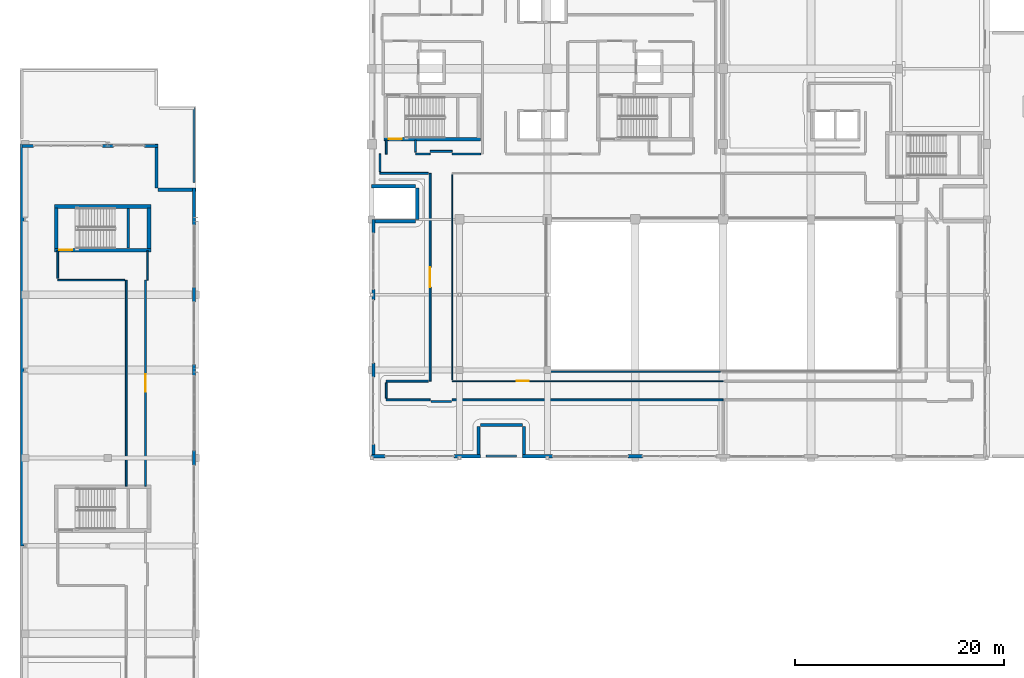
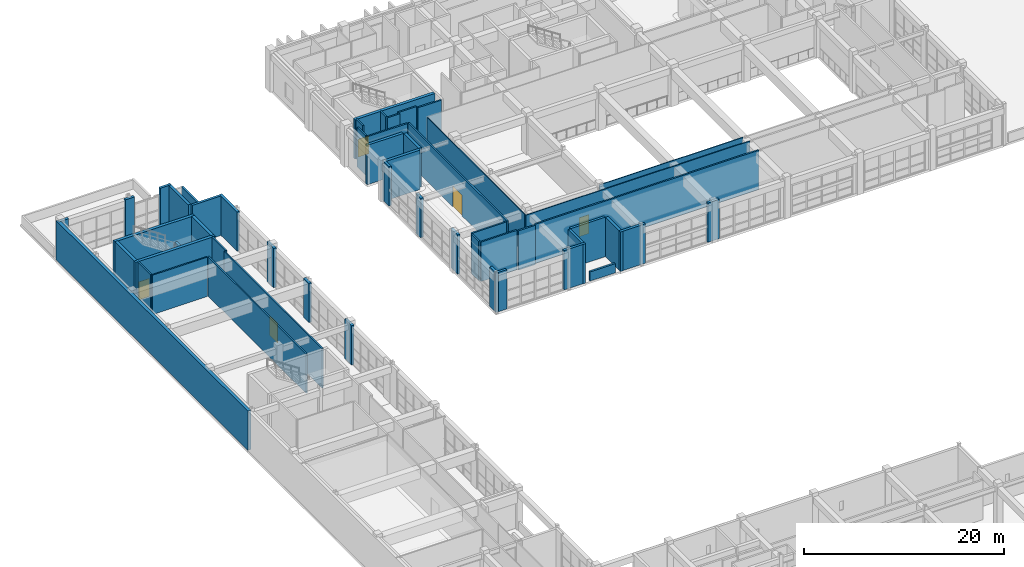
# One storey, part 62 of 78: 53 walls, 5 doors, 5 openings.
"""IFC4 building model written with IfcOpenShell, lengths in metres."""

from ifc_helpers import new_model, si_unit, direction, frame, frame_2d, origin, place, context, subcontext, project, spatial, rectangle, extrude, material, layer, layer_set, type_object, element, fill, save


model = new_model("IFC4")

# Units and contexts
model_context = context("Model", 3, precision=1e-05, world=origin(), true_north=direction((0.0, 1.0)))
body_context = subcontext(model_context, "Body", "Model", "MODEL_VIEW")
ifc_project = project(units=[si_unit("LENGTHUNIT", "METRE"), si_unit("AREAUNIT", "SQUARE_METRE"), si_unit("VOLUMEUNIT", "CUBIC_METRE"), si_unit("PLANEANGLEUNIT", "RADIAN"), si_unit("MASSUNIT", "GRAM", prefix="KILO")], contexts=[model_context])

# Site, building, storey
site_placement = place(None, origin())
site = spatial("IfcSite", under=ifc_project, at=site_placement, CompositionType="ELEMENT")
building_placement = place(site_placement, origin())
building = spatial("IfcBuilding", under=site, at=building_placement, Name="Quendrovan Civic Courthouse", CompositionType="ELEMENT")
storey_placement = place(building_placement, frame((0.0, 0.0, 10.199951171875)))
storey = spatial("IfcBuildingStorey", under=building, at=storey_placement, Name="L03", CompositionType="ELEMENT", Elevation=10.199951171875)

# Wall, opening, door
ifc_material_1 = material(Name="Fire-rated gypsum stud partition")
ifc_layer_1 = layer(ifc_material_1, 0.159912109375, Name="Fire-rated gypsum stud partition")
ifc_layer_set_1 = layer_set([ifc_layer_1], Name="Fire-rated gypsum stud partition")
wall_type_1 = type_object("IfcWallType", Name="WL-COR-160", PredefinedType="PARTITIONING", material=ifc_layer_set_1)
wall_1_placement = place(storey_placement, frame((12.0, 62.1201171875, 0.0), z_axis=(0.0, 0.0, 1.0), x_axis=(0.0, 1.0, 0.0)))
wall_1 = element("IfcWall", 1, at=wall_1_placement, inside=storey, type_object=wall_type_1, Name="L03 Appellate Filing Case Registry Partition 0425", PredefinedType="PARTITIONING", context=body_context, shape_type="SweptSolid", body=[
    extrude(rectangle(XDim=19.679931640625, YDim=0.159912109375, at=frame_2d((9.83984375, 0.0))), origin(), (0.0, 0.0, 1.0), 4.820068359375),
])
opening_1_placement = place(wall_1_placement, frame((9.02001953125, 0.0, 0.0)))
opening_1 = element("IfcOpeningElement", 2, at=opening_1_placement, cuts=wall_1, Name="Opening D-L03-067", PredefinedType="OPENING", context=body_context, shape_type="SweptSolid", body=[
    extrude(rectangle(XDim=1.639892578125, YDim=2.419921875, at=frame_2d((0.81982421875, 1.2099609375))), frame((0.0, 0.08984375, 0.0), z_axis=(0.0, -1.0, 0.0), x_axis=(1.0, 0.0, 0.0)), (0.0, 0.0, 1.0), 0.179931640625),
])
ifc_material_2 = material(Name="Bronze-anodised aluminium glazed door", Category="aluminium")
door_type_1 = type_object("IfcDoorType", Name="DR-REG-1640", OperationType="NOTDEFINED", PredefinedType="DOOR", material=ifc_material_2)
door_1_placement = place(opening_1_placement, origin())
door_1 = element("IfcDoor", 3, at=door_1_placement, inside=storey, type_object=door_type_1, Name="L03 Appellate Filing Case Registry Door D-L03-067", OperationType="SINGLE_SWING_RIGHT", OverallHeight=2.419921875, OverallWidth=1.639892578125, PredefinedType="DOOR", context=body_context, shape_type="SweptSolid", body=[
    extrude(rectangle(XDim=1.639892578125, YDim=2.419921875, at=frame_2d((0.81982421875, 1.2099609375))), frame((0.0, 0.02490234375, 0.0), z_axis=(0.0, -1.0, 0.0), x_axis=(1.0, 0.0, 0.0)), (0.0, 0.0, 1.0), 0.050048828125),
])
fill(opening_1, door_1)

# Walls
wall_2_placement = place(storey_placement, frame((10.14990234375, 81.800048828125, 0.0), z_axis=(0.0, 0.0, 1.0), x_axis=(0.0, -1.0, 0.0)))
element("IfcWall", 4, at=wall_2_placement, inside=storey, type_object=wall_type_1, Name="L03 Appellate Filing Case Registry Partition 0426", PredefinedType="PARTITIONING", context=body_context, shape_type="SweptSolid", body=[
    extrude(rectangle(XDim=19.679931640625, YDim=0.159912109375, at=frame_2d((9.83984375, 0.0))), origin(), (0.0, 0.0, 1.0), 4.820068359375),
])
wall_3_placement = place(storey_placement, frame((3.60009765625, 81.800048828125, 0.0), z_axis=(0.0, 0.0, 1.0), x_axis=(1.0, 0.0, 0.0)))
element("IfcWall", 5, at=wall_3_placement, inside=storey, type_object=wall_type_1, Name="L03 Appellate Filing Case Registry Partition 0469", PredefinedType="PARTITIONING", context=body_context, shape_type="SweptSolid", body=[
    extrude(rectangle(XDim=6.389892578125, YDim=0.159912109375, at=frame_2d((3.19482421875, 0.0))), origin(), (0.0, 0.0, 1.0), 4.820068359375),
])
wall_4_placement = place(storey_placement, frame((12.199951171875, 81.800048828125, 0.0), z_axis=(0.0, 0.0, 1.0), x_axis=(0.0, 1.0, 0.0)))
element("IfcWall", 6, at=wall_4_placement, inside=storey, type_object=wall_type_1, Name="L03 Appellate Filing Case Registry Partition 0508", PredefinedType="PARTITIONING", context=body_context, shape_type="SweptSolid", body=[
    extrude(rectangle(XDim=2.780029296875, YDim=0.159912109375, at=frame_2d((1.39013671875, 0.0))), origin(), (0.0, 0.0, 1.0), 4.820068359375),
])
wall_5_placement = place(storey_placement, frame((3.60009765625, 84.580078125, 0.0), z_axis=(0.0, 0.0, 1.0), x_axis=(0.0, -1.0, 0.0)))
element("IfcWall", 7, at=wall_5_placement, inside=storey, type_object=wall_type_1, Name="L03 Appellate Filing Case Registry Partition 0509", PredefinedType="PARTITIONING", context=body_context, shape_type="SweptSolid", body=[
    extrude(rectangle(XDim=2.6201171875, YDim=0.159912109375, at=frame_2d((1.31005859375, 0.0))), origin(), (0.0, 0.0, 1.0), 4.820068359375),
])

# Wall, opening, door
ifc_material_3 = material(Name="Concrete C45/55", Category="concrete")
ifc_layer_2 = layer(ifc_material_3, 0.35009765625, Name="Concrete C45/55")
ifc_layer_set_2 = layer_set([ifc_layer_2], Name="Concrete C45/55")
wall_type_2 = type_object("IfcWallType", Name="WL-CORE-350", PredefinedType="SHEAR", material=ifc_layer_set_2)
wall_6_placement = place(storey_placement, frame((34.7900390625, 95.264892578125, 0.0), z_axis=(0.0, 0.0, 1.0), x_axis=(1.0, 0.0, 0.0)))
wall_6 = element("IfcWall", 8, at=wall_6_placement, inside=storey, type_object=wall_type_2, Name="L03 Core Shear Wall ST1-S", PredefinedType="SHEAR", context=body_context, shape_type="SweptSolid", body=[
    extrude(rectangle(XDim=9.219970703125, YDim=0.35009765625, at=frame_2d((4.60986328125, 0.0))), origin(), (0.0, 0.0, 1.0), 4.820068359375),
])
opening_2_placement = place(wall_6_placement, frame((0.449951171875, 0.0, 0.0)))
opening_2 = element("IfcOpeningElement", 9, at=opening_2_placement, cuts=wall_6, Name="Opening DS-ST1-L03", PredefinedType="OPENING", context=body_context, shape_type="SweptSolid", body=[
    extrude(rectangle(XDim=1.25, YDim=2.199951171875, at=frame_2d((0.625, 1.10009765625))), frame((0.0, 0.18505859375, 0.0), z_axis=(0.0, -1.0, 0.0), x_axis=(1.0, 0.0, 0.0)), (0.0, 0.0, 1.0), 0.3701171875),
])
ifc_material_4 = material(Name="Painted galvanized hollow-metal steel", Category="steel")
door_type_2 = type_object("IfcDoorType", Name="DR-STAIR-1250", OperationType="NOTDEFINED", PredefinedType="DOOR", material=ifc_material_4)
door_2_placement = place(opening_2_placement, origin())
door_2 = element("IfcDoor", 10, at=door_2_placement, inside=storey, type_object=door_type_2, Name="L03 Exit Stair ST1 Fire Door", OperationType="SINGLE_SWING_LEFT", OverallHeight=2.199951171875, OverallWidth=1.25, PredefinedType="DOOR", context=body_context, shape_type="SweptSolid", body=[
    extrude(rectangle(XDim=1.25, YDim=2.199951171875, at=frame_2d((0.625, 1.10009765625))), frame((0.0, 0.02490234375, 0.0), z_axis=(0.0, -1.0, 0.0), x_axis=(1.0, 0.0, 0.0)), (0.0, 0.0, 1.0), 0.050048828125),
])
fill(opening_2, door_2)

wall_7_placement = place(storey_placement, frame((3.2900390625, 84.6650390625, 0.0), z_axis=(0.0, 0.0, 1.0), x_axis=(1.0, 0.0, 0.0)))
wall_7 = element("IfcWall", 11, at=wall_7_placement, inside=storey, type_object=wall_type_2, Name="L03 Core Shear Wall ST8-S", PredefinedType="SHEAR", context=body_context, shape_type="SweptSolid", body=[
    extrude(rectangle(XDim=9.219970703125, YDim=0.35009765625, at=frame_2d((4.60986328125, 0.0))), origin(), (0.0, 0.0, 1.0), 4.820068359375),
])
opening_3_placement = place(wall_7_placement, frame((0.449951171875, 0.0, 0.0)))
opening_3 = element("IfcOpeningElement", 12, at=opening_3_placement, cuts=wall_7, Name="Opening DS-ST8-L03", PredefinedType="OPENING", context=body_context, shape_type="SweptSolid", body=[
    extrude(rectangle(XDim=1.25, YDim=2.199951171875, at=frame_2d((0.625, 1.10009765625))), frame((0.0, 0.18505859375, 0.0), z_axis=(0.0, -1.0, 0.0), x_axis=(1.0, 0.0, 0.0)), (0.0, 0.0, 1.0), 0.3701171875),
])
door_3_placement = place(opening_3_placement, origin())
door_3 = element("IfcDoor", 13, at=door_3_placement, inside=storey, type_object=door_type_2, Name="L03 Exit Stair ST8 Fire Door", OperationType="SINGLE_SWING_RIGHT", OverallHeight=2.199951171875, OverallWidth=1.25, PredefinedType="DOOR", context=body_context, shape_type="SweptSolid", body=[
    extrude(rectangle(XDim=1.25, YDim=2.199951171875, at=frame_2d((0.625, 1.10009765625))), frame((0.0, 0.02490234375, 0.0), z_axis=(0.0, -1.0, 0.0), x_axis=(1.0, 0.0, 0.0)), (0.0, 0.0, 1.0), 0.050048828125),
])
fill(opening_3, door_3)

# Walls
wall_8_placement = place(storey_placement, frame((12.510009765625, 88.8349609375, 0.0), z_axis=(0.0, 0.0, 1.0), x_axis=(-1.0, 0.0, 0.0)))
element("IfcWall", 14, at=wall_8_placement, inside=storey, type_object=wall_type_2, Name="L03 Core Shear Wall ST8-N", PredefinedType="SHEAR", context=body_context, shape_type="SweptSolid", body=[
    extrude(rectangle(XDim=9.219970703125, YDim=0.35009765625, at=frame_2d((4.60986328125, 0.0))), origin(), (0.0, 0.0, 1.0), 4.820068359375),
])
for number, where, z_axis, x_axis, name in (
    (15, (3.465087890625, 84.800048828125, 0.0), (0.0, 0.0, 1.0), (0.0, 1.0, 0.0), "L03 Core Shear Wall ST8-W"),
    (16, (12.3349609375, 88.699951171875, 0.0), (0.0, 0.0, 1.0), (0.0, -1.0, 0.0), "L03 Core Shear Wall ST8-E"),
):
    element("IfcWall", number, at=place(storey_placement, frame(where, z_axis=z_axis, x_axis=x_axis)), inside=storey, type_object=wall_type_2, Name=name, PredefinedType="SHEAR", context=body_context, shape_type="SweptSolid", body=[
        extrude(rectangle(XDim=3.89990234375, YDim=0.35009765625, at=frame_2d((1.949951171875, 0.0))), origin(), (0.0, 0.0, 1.0), 4.820068359375),
    ])
ifc_material_5 = material(Name="Acoustic gypsum and mineral wool partition")
ifc_layer_3 = layer(ifc_material_5, 0.179931640625, Name="Acoustic gypsum and mineral wool partition")
ifc_layer_set_3 = layer_set([ifc_layer_3], Name="Acoustic gypsum and mineral wool partition")
wall_type_3 = type_object("IfcWallType", Name="WL-CRT-AC180", PredefinedType="PARTITIONING", material=ifc_layer_set_3)
wall_9_placement = place(storey_placement, frame((41.300048828125, 70.35009765625, 0.0), z_axis=(0.0, 0.0, 1.0), x_axis=(1.0, 0.0, 0.0)))
element("IfcWall", 17, at=wall_9_placement, inside=storey, type_object=wall_type_3, Name="L03 Criminal Courtroom Partition 0420", PredefinedType="PARTITIONING", context=body_context, shape_type="SweptSolid", body=[
    extrude(rectangle(XDim=25.89990234375, YDim=0.179931640625, at=frame_2d((12.949951171875, 0.0))), origin(), (0.0, 0.0, 1.0), 4.820068359375),
])

# Wall, opening, door
wall_10_placement = place(storey_placement, frame((39.199951171875, 92.0, 0.0), z_axis=(0.0, 0.0, 1.0), x_axis=(0.0, -1.0, 0.0)))
wall_10 = element("IfcWall", 18, at=wall_10_placement, inside=storey, type_object=wall_type_3, Name="L03 Criminal Courtroom Partition 0423", PredefinedType="PARTITIONING", context=body_context, shape_type="SweptSolid", body=[
    extrude(rectangle(XDim=19.85009765625, YDim=0.179931640625, at=frame_2d((9.925048828125, 0.0))), origin(), (0.0, 0.0, 1.0), 4.820068359375),
])
opening_4_placement = place(wall_10_placement, frame((8.965087890625, 0.0, 0.0)))
opening_4 = element("IfcOpeningElement", 19, at=opening_4_placement, cuts=wall_10, Name="Opening D-L03-068", PredefinedType="OPENING", context=body_context, shape_type="SweptSolid", body=[
    extrude(rectangle(XDim=1.919921875, YDim=2.550048828125, at=frame_2d((0.9599609375, 1.27490234375))), frame((0.0, 0.10009765625, 0.0), z_axis=(0.0, -1.0, 0.0), x_axis=(1.0, 0.0, 0.0)), (0.0, 0.0, 1.0), 0.199951171875),
])
ifc_material_6 = material(Name="Acoustic solid Western Red Cedar timber door", Category="wood")
door_type_3 = type_object("IfcDoorType", Name="DR-CRT-DBL1920", OperationType="NOTDEFINED", PredefinedType="DOOR", material=ifc_material_6)
door_4_placement = place(opening_4_placement, origin())
door_4 = element("IfcDoor", 20, at=door_4_placement, inside=storey, type_object=door_type_3, Name="L03 Criminal Courtroom Door D-L03-068", OperationType="SINGLE_SWING_LEFT", OverallHeight=2.550048828125, OverallWidth=1.919921875, PredefinedType="DOOR", context=body_context, shape_type="SweptSolid", body=[
    extrude(rectangle(XDim=1.919921875, YDim=2.550048828125, at=frame_2d((0.9599609375, 1.27490234375))), frame((0.0, 0.02490234375, 0.0), z_axis=(0.0, -1.0, 0.0), x_axis=(1.0, 0.0, 0.0)), (0.0, 0.0, 1.0), 0.050048828125),
])
fill(opening_4, door_4)

# Walls
wall_11_placement = place(storey_placement, frame((34.39990234375, 92.0, 0.0), z_axis=(0.0, 0.0, 1.0), x_axis=(1.0, 0.0, 0.0)))
element("IfcWall", 21, at=wall_11_placement, inside=storey, type_object=wall_type_3, Name="L03 Criminal Courtroom Partition 0480", PredefinedType="PARTITIONING", context=body_context, shape_type="SweptSolid", body=[
    extrude(rectangle(XDim=4.630126953125, YDim=0.179931640625, at=frame_2d((2.31494140625, 0.0))), origin(), (0.0, 0.0, 1.0), 4.820068359375),
])
wall_12_placement = place(storey_placement, frame((39.030029296875, 72.14990234375, 0.0), z_axis=(0.0, 0.0, 1.0), x_axis=(-1.0, 0.0, 0.0)))
element("IfcWall", 22, at=wall_12_placement, inside=storey, type_object=wall_type_3, Name="L03 Criminal Courtroom Partition 0489", PredefinedType="PARTITIONING", context=body_context, shape_type="SweptSolid", body=[
    extrude(rectangle(XDim=4.030029296875, YDim=0.179931640625, at=frame_2d((2.01513671875, 0.0))), origin(), (0.0, 0.0, 1.0), 4.820068359375),
])
wall_13_placement = place(storey_placement, frame((35.0, 70.35009765625, 0.0), z_axis=(0.0, 0.0, 1.0), x_axis=(1.0, 0.0, 0.0)))
element("IfcWall", 23, at=wall_13_placement, inside=storey, type_object=wall_type_3, Name="L03 Criminal Courtroom Partition 0490", PredefinedType="PARTITIONING", context=body_context, shape_type="SweptSolid", body=[
    extrude(rectangle(XDim=4.199951171875, YDim=0.179931640625, at=frame_2d((2.10009765625, 0.0))), origin(), (0.0, 0.0, 1.0), 4.820068359375),
])
wall_14_placement = place(storey_placement, frame((44.030029296875, 93.85009765625, 0.0), z_axis=(0.0, 0.0, 1.0), x_axis=(-1.0, 0.0, 0.0)))
element("IfcWall", 24, at=wall_14_placement, inside=storey, type_object=wall_type_3, Name="L03 Criminal Courtroom Partition 0503", PredefinedType="PARTITIONING", context=body_context, shape_type="SweptSolid", body=[
    extrude(rectangle(XDim=2.72998046875, YDim=0.179931640625, at=frame_2d((1.364990234375, 0.0))), origin(), (0.0, 0.0, 1.0), 4.820068359375),
])
wall_15_placement = place(storey_placement, frame((41.300048828125, 94.10009765625, 0.0), z_axis=(0.0, 0.0, 1.0), x_axis=(-1.0, 0.0, 0.0)))
element("IfcWall", 25, at=wall_15_placement, inside=storey, type_object=wall_type_3, Name="L03 Criminal Courtroom Partition 0522", PredefinedType="PARTITIONING", context=body_context, shape_type="SweptSolid", body=[
    extrude(rectangle(XDim=2.10009765625, YDim=0.179931640625, at=frame_2d((1.050048828125, 0.0))), origin(), (0.0, 0.0, 1.0), 4.820068359375),
])
wall_16_placement = place(storey_placement, frame((39.280029296875, 70.199951171875, 0.0), z_axis=(0.0, 0.0, 1.0), x_axis=(1.0, 0.0, 0.0)))
element("IfcWall", 26, at=wall_16_placement, inside=storey, type_object=wall_type_3, Name="L03 Criminal Courtroom Partition 0523", PredefinedType="PARTITIONING", context=body_context, shape_type="SweptSolid", body=[
    extrude(rectangle(XDim=1.93994140625, YDim=0.179931640625, at=frame_2d((0.969970703125, 0.0))), origin(), (0.0, 0.0, 1.0), 4.820068359375),
])
wall_17_placement = place(storey_placement, frame((34.39990234375, 93.85009765625, 0.0), z_axis=(0.0, 0.0, 1.0), x_axis=(0.0, -1.0, 0.0)))
element("IfcWall", 27, at=wall_17_placement, inside=storey, type_object=wall_type_3, Name="L03 Criminal Courtroom Partition 0528", PredefinedType="PARTITIONING", context=body_context, shape_type="SweptSolid", body=[
    extrude(rectangle(XDim=1.68017578125, YDim=0.179931640625, at=frame_2d((0.840087890625, 0.0))), origin(), (0.0, 0.0, 1.0), 4.820068359375),
])
wall_18_placement = place(storey_placement, frame((35.0, 71.97998046875, 0.0), z_axis=(0.0, 0.0, 1.0), x_axis=(0.0, -1.0, 0.0)))
element("IfcWall", 28, at=wall_18_placement, inside=storey, type_object=wall_type_3, Name="L03 Criminal Courtroom Partition 0530", PredefinedType="PARTITIONING", context=body_context, shape_type="SweptSolid", body=[
    extrude(rectangle(XDim=1.4599609375, YDim=0.179931640625, at=frame_2d((0.72998046875, 0.0))), origin(), (0.0, 0.0, 1.0), 4.820068359375),
])
wall_19_placement = place(storey_placement, frame((39.199951171875, 93.85009765625, 0.0), z_axis=(0.0, 0.0, 1.0), x_axis=(-1.0, 0.0, 0.0)))
element("IfcWall", 29, at=wall_19_placement, inside=storey, type_object=wall_type_3, Name="L03 Criminal Courtroom Partition 0536", PredefinedType="PARTITIONING", context=body_context, shape_type="SweptSolid", body=[
    extrude(rectangle(XDim=1.39990234375, YDim=0.179931640625, at=frame_2d((0.699951171875, 0.0))), origin(), (0.0, 0.0, 1.0), 4.820068359375),
])
wall_20_placement = place(storey_placement, frame((37.800048828125, 94.02001953125, 0.0), z_axis=(0.0, 0.0, 1.0), x_axis=(0.0, 1.0, 0.0)))
element("IfcWall", 30, at=wall_20_placement, inside=storey, type_object=wall_type_3, Name="L03 Criminal Courtroom Partition 0538", PredefinedType="PARTITIONING", context=body_context, shape_type="SweptSolid", body=[
    extrude(rectangle(XDim=1.159912109375, YDim=0.179931640625, at=frame_2d((0.580078125, 0.0))), origin(), (0.0, 0.0, 1.0), 4.820068359375),
])
wall_21_placement = place(storey_placement, frame((35.0, 95.179931640625, 0.0), z_axis=(0.0, 0.0, 1.0), x_axis=(0.0, -1.0, 0.0)))
element("IfcWall", 31, at=wall_21_placement, inside=storey, type_object=wall_type_3, Name="L03 Criminal Courtroom Partition 0539", PredefinedType="PARTITIONING", context=body_context, shape_type="SweptSolid", body=[
    extrude(rectangle(XDim=1.329833984375, YDim=0.179931640625, at=frame_2d((0.6650390625, 0.0))), origin(), (0.0, 0.0, 1.0), 4.820068359375),
])
ifc_material_7 = material(Name="Precast concrete C45/55", Category="concrete")
ifc_layer_4 = layer(ifc_material_7, 0.2900390625, Name="Precast concrete C45/55")
ifc_layer_set_4 = layer_set([ifc_layer_4], Name="Precast concrete C45/55")
wall_type_4 = type_object("IfcWallType", Name="WL-EXT-PC290", PredefinedType="SOLIDWALL", material=ifc_layer_set_4)
wall_22_placement = place(storey_placement, frame((0.175048828125, 94.635009765625, 0.0), z_axis=(0.0, 0.0, 1.0), x_axis=(1.0, 0.0, 0.0)))
element("IfcWall", 32, at=wall_22_placement, inside=storey, type_object=wall_type_4, Name="L03 Exterior Pier Wall 253", PredefinedType="SOLIDWALL", context=body_context, shape_type="SweptSolid", body=[
    extrude(rectangle(XDim=1.125, YDim=0.2900390625, at=frame_2d((0.5625, 0.0))), origin(), (0.0, 0.0, 1.0), 4.820068359375),
])
wall_23_placement = place(storey_placement, frame((7.863037109375, 94.635009765625, 0.0), z_axis=(0.0, 0.0, 1.0), x_axis=(1.0, 0.0, 0.0)))
element("IfcWall", 33, at=wall_23_placement, inside=storey, type_object=wall_type_4, Name="L03 Exterior Pier Wall 254", PredefinedType="SOLIDWALL", context=body_context, shape_type="SweptSolid", body=[
    extrude(rectangle(XDim=1.073974609375, YDim=0.2900390625, at=frame_2d((0.537109375, 0.0))), origin(), (0.0, 0.0, 1.0), 4.820068359375),
])
wall_24_placement = place(storey_placement, frame((11.89990234375, 94.635009765625, 0.0), z_axis=(0.0, 0.0, 1.0), x_axis=(1.0, 0.0, 0.0)))
element("IfcWall", 34, at=wall_24_placement, inside=storey, type_object=wall_type_4, Name="L03 Exterior Pier Wall 255", PredefinedType="SOLIDWALL", context=body_context, shape_type="SweptSolid", body=[
    extrude(rectangle(XDim=1.300048828125, YDim=0.2900390625, at=frame_2d((0.64990234375, 0.0))), origin(), (0.0, 0.0, 1.0), 4.820068359375),
])
wall_25_placement = place(storey_placement, frame((13.034912109375, 94.800048828125, 0.0), z_axis=(0.0, 0.0, 1.0), x_axis=(0.0, -1.0, 0.0)))
element("IfcWall", 35, at=wall_25_placement, inside=storey, type_object=wall_type_4, Name="L03 Exterior Civic Portal Wall 256", PredefinedType="SOLIDWALL", context=body_context, shape_type="SweptSolid", body=[
    extrude(rectangle(XDim=4.199951171875, YDim=0.2900390625, at=frame_2d((2.10009765625, 0.0))), origin(), (0.0, 0.0, 1.0), 4.820068359375),
])
wall_26_placement = place(storey_placement, frame((13.199951171875, 90.43505859375, 0.0), z_axis=(0.0, 0.0, 1.0), x_axis=(1.0, 0.0, 0.0)))
element("IfcWall", 36, at=wall_26_placement, inside=storey, type_object=wall_type_4, Name="L03 Exterior Civic Portal Wall 257", PredefinedType="SOLIDWALL", context=body_context, shape_type="SweptSolid", body=[
    extrude(rectangle(XDim=3.60009765625, YDim=0.2900390625, at=frame_2d((1.800048828125, 0.0))), origin(), (0.0, 0.0, 1.0), 4.820068359375),
])
wall_27_placement = place(storey_placement, frame((16.635009765625, 90.60009765625, 0.0), z_axis=(0.0, 0.0, 1.0), x_axis=(0.0, -1.0, 0.0)))
element("IfcWall", 37, at=wall_27_placement, inside=storey, type_object=wall_type_4, Name="L03 Exterior Pier Wall 258", PredefinedType="SOLIDWALL", context=body_context, shape_type="SweptSolid", body=[
    extrude(rectangle(XDim=3.537109375, YDim=0.2900390625, at=frame_2d((1.7685546875, 0.0))), origin(), (0.0, 0.0, 1.0), 4.820068359375),
])
wall_28_placement = place(storey_placement, frame((16.635009765625, 81.10009765625, 0.0), z_axis=(0.0, 0.0, 1.0), x_axis=(0.0, -1.0, 0.0)))
element("IfcWall", 38, at=wall_28_placement, inside=storey, type_object=wall_type_4, Name="L03 Exterior Pier Wall 259", PredefinedType="SOLIDWALL", context=body_context, shape_type="SweptSolid", body=[
    extrude(rectangle(XDim=1.400146484375, YDim=0.2900390625, at=frame_2d((0.7001953125, 0.0))), origin(), (0.0, 0.0, 1.0), 4.820068359375),
])
wall_29_placement = place(storey_placement, frame((16.635009765625, 73.737060546875, 0.0), z_axis=(0.0, 0.0, 1.0), x_axis=(0.0, -1.0, 0.0)))
element("IfcWall", 39, at=wall_29_placement, inside=storey, type_object=wall_type_4, Name="L03 Exterior Pier Wall 260", PredefinedType="SOLIDWALL", context=body_context, shape_type="SweptSolid", body=[
    extrude(rectangle(XDim=1.073974609375, YDim=0.2900390625, at=frame_2d((0.537109375, 0.0))), origin(), (0.0, 0.0, 1.0), 4.820068359375),
])
wall_30_placement = place(storey_placement, frame((16.635009765625, 65.5, 0.0), z_axis=(0.0, 0.0, 1.0), x_axis=(0.0, -1.0, 0.0)))
element("IfcWall", 40, at=wall_30_placement, inside=storey, type_object=wall_type_4, Name="L03 Exterior Pier Wall 261", PredefinedType="SOLIDWALL", context=body_context, shape_type="SweptSolid", body=[
    extrude(rectangle(XDim=1.39990234375, YDim=0.2900390625, at=frame_2d((0.699951171875, 0.0))), origin(), (0.0, 0.0, 1.0), 4.820068359375),
])
wall_31_placement = place(storey_placement, frame((59.47509765625, 64.965087890625, 0.0), z_axis=(0.0, 0.0, 1.0), x_axis=(-1.0, 0.0, 0.0)))
element("IfcWall", 41, at=wall_31_placement, inside=storey, type_object=wall_type_4, Name="L03 Exterior Pier Wall 301", PredefinedType="SOLIDWALL", context=body_context, shape_type="SweptSolid", body=[
    extrude(rectangle(XDim=1.35009765625, YDim=0.2900390625, at=frame_2d((0.675048828125, 0.0))), origin(), (0.0, 0.0, 1.0), 4.820068359375),
])
wall_32_placement = place(storey_placement, frame((50.89990234375, 64.965087890625, 0.0), z_axis=(0.0, 0.0, 1.0), x_axis=(-1.0, 0.0, 0.0)))
element("IfcWall", 42, at=wall_32_placement, inside=storey, type_object=wall_type_4, Name="L03 Exterior Pier Wall 302", PredefinedType="SOLIDWALL", context=body_context, shape_type="SweptSolid", body=[
    extrude(rectangle(XDim=2.89990234375, YDim=0.2900390625, at=frame_2d((1.449951171875, 0.0))), origin(), (0.0, 0.0, 1.0), 4.820068359375),
])
wall_33_placement = place(storey_placement, frame((48.1650390625, 64.800048828125, 0.0), z_axis=(0.0, 0.0, 1.0), x_axis=(0.0, 1.0, 0.0)))
element("IfcWall", 43, at=wall_33_placement, inside=storey, type_object=wall_type_4, Name="L03 Exterior Civic Portal Wall 303", PredefinedType="SOLIDWALL", context=body_context, shape_type="SweptSolid", body=[
    extrude(rectangle(XDim=3.0, YDim=0.2900390625, at=frame_2d((1.5, 0.0))), origin(), (0.0, 0.0, 1.0), 4.820068359375),
])
wall_34_placement = place(storey_placement, frame((48.0, 67.965087890625, 0.0), z_axis=(0.0, 0.0, 1.0), x_axis=(-1.0, 0.0, 0.0)))
element("IfcWall", 44, at=wall_34_placement, inside=storey, type_object=wall_type_4, Name="L03 Exterior Civic Portal Wall 304", PredefinedType="SOLIDWALL", context=body_context, shape_type="SweptSolid", body=[
    extrude(rectangle(XDim=4.0, YDim=0.2900390625, at=frame_2d((2.0, 0.0))), origin(), (0.0, 0.0, 1.0), 4.820068359375),
])
wall_35_placement = place(storey_placement, frame((43.8349609375, 67.800048828125, 0.0), z_axis=(0.0, 0.0, 1.0), x_axis=(0.0, -1.0, 0.0)))
element("IfcWall", 45, at=wall_35_placement, inside=storey, type_object=wall_type_4, Name="L03 Exterior Civic Portal Wall 305", PredefinedType="SOLIDWALL", context=body_context, shape_type="SweptSolid", body=[
    extrude(rectangle(XDim=3.0, YDim=0.2900390625, at=frame_2d((1.5, 0.0))), origin(), (0.0, 0.0, 1.0), 4.820068359375),
])
wall_36_placement = place(storey_placement, frame((44.0, 64.965087890625, 0.0), z_axis=(0.0, 0.0, 1.0), x_axis=(-1.0, 0.0, 0.0)))
element("IfcWall", 46, at=wall_36_placement, inside=storey, type_object=wall_type_4, Name="L03 Exterior Pier Wall 306", PredefinedType="SOLIDWALL", context=body_context, shape_type="SweptSolid", body=[
    extrude(rectangle(XDim=2.5, YDim=0.2900390625, at=frame_2d((1.25, 0.0))), origin(), (0.0, 0.0, 1.0), 4.820068359375),
])
wall_37_placement = place(storey_placement, frame((34.89990234375, 64.965087890625, 0.0), z_axis=(0.0, 0.0, 1.0), x_axis=(-1.0, 0.0, 0.0)))
element("IfcWall", 47, at=wall_37_placement, inside=storey, type_object=wall_type_4, Name="L03 Exterior Pier Wall 307", PredefinedType="SOLIDWALL", context=body_context, shape_type="SweptSolid", body=[
    extrude(rectangle(XDim=1.2998046875, YDim=0.2900390625, at=frame_2d((0.64990234375, 0.0))), origin(), (0.0, 0.0, 1.0), 4.820068359375),
])
wall_38_placement = place(storey_placement, frame((33.764892578125, 64.800048828125, 0.0), z_axis=(0.0, 0.0, 1.0), x_axis=(0.0, 1.0, 0.0)))
element("IfcWall", 48, at=wall_38_placement, inside=storey, type_object=wall_type_4, Name="L03 Exterior Pier Wall 308", PredefinedType="SOLIDWALL", context=body_context, shape_type="SweptSolid", body=[
    extrude(rectangle(XDim=1.300048828125, YDim=0.2900390625, at=frame_2d((0.64990234375, 0.0))), origin(), (0.0, 0.0, 1.0), 4.820068359375),
])
wall_39_placement = place(storey_placement, frame((33.764892578125, 72.52490234375, 0.0), z_axis=(0.0, 0.0, 1.0), x_axis=(0.0, 1.0, 0.0)))
element("IfcWall", 49, at=wall_39_placement, inside=storey, type_object=wall_type_4, Name="L03 Exterior Pier Wall 309", PredefinedType="SOLIDWALL", context=body_context, shape_type="SweptSolid", body=[
    extrude(rectangle(XDim=1.35009765625, YDim=0.2900390625, at=frame_2d((0.675048828125, 0.0))), origin(), (0.0, 0.0, 1.0), 4.820068359375),
])
wall_40_placement = place(storey_placement, frame((33.764892578125, 79.89990234375, 0.0), z_axis=(0.0, 0.0, 1.0), x_axis=(0.0, 1.0, 0.0)))
element("IfcWall", 50, at=wall_40_placement, inside=storey, type_object=wall_type_4, Name="L03 Exterior Pier Wall 310", PredefinedType="SOLIDWALL", context=body_context, shape_type="SweptSolid", body=[
    extrude(rectangle(XDim=1.0, YDim=0.2900390625, at=frame_2d((0.5, 0.0))), origin(), (0.0, 0.0, 1.0), 4.820068359375),
])
wall_41_placement = place(storey_placement, frame((33.764892578125, 86.300048828125, 0.0), z_axis=(0.0, 0.0, 1.0), x_axis=(0.0, 1.0, 0.0)))
element("IfcWall", 51, at=wall_41_placement, inside=storey, type_object=wall_type_4, Name="L03 Exterior Pier Wall 311", PredefinedType="SOLIDWALL", context=body_context, shape_type="SweptSolid", body=[
    extrude(rectangle(XDim=1.300048828125, YDim=0.2900390625, at=frame_2d((0.64990234375, 0.0))), origin(), (0.0, 0.0, 1.0), 4.820068359375),
])
ifc_layer_5 = layer(ifc_material_7, 0.320068359375, Name="Precast concrete C45/55")
ifc_layer_set_5 = layer_set([ifc_layer_5], Name="Precast concrete C45/55")
wall_type_5 = type_object("IfcWallType", Name="WL-EXT-PC320", PredefinedType="SOLIDWALL", material=ifc_layer_set_5)
for number, where, z_axis, x_axis, name in (
    (52, (37.800048828125, 90.780029296875, 0.0), (0.0, 0.0, 1.0), (-1.0, 0.0, 0.0), "L03 Exterior Precast Concrete Wall 285"),
    (53, (33.60009765625, 87.419921875, 0.0), (0.0, 0.0, 1.0), (1.0, 0.0, 0.0), "L03 Exterior Precast Concrete Wall 312"),
):
    element("IfcWall", number, at=place(storey_placement, frame(where, z_axis=z_axis, x_axis=x_axis)), inside=storey, type_object=wall_type_5, Name=name, PredefinedType="SOLIDWALL", context=body_context, shape_type="SweptSolid", body=[
        extrude(rectangle(XDim=4.199951171875, YDim=0.320068359375, at=frame_2d((2.10009765625, 0.0))), origin(), (0.0, 0.0, 1.0), 4.820068359375),
    ])
wall_42_placement = place(storey_placement, frame((37.97998046875, 87.60009765625, 0.0), z_axis=(0.0, 0.0, 1.0), x_axis=(0.0, 1.0, 0.0)))
element("IfcWall", 54, at=wall_42_placement, inside=storey, type_object=wall_type_5, Name="L03 Exterior Precast Concrete Wall 313", PredefinedType="SOLIDWALL", context=body_context, shape_type="SweptSolid", body=[
    extrude(rectangle(XDim=3.0, YDim=0.320068359375, at=frame_2d((1.5, 0.0))), origin(), (0.0, 0.0, 1.0), 4.820068359375),
])

# Wall, opening, door
ifc_material_8 = material(Name="Lightweight gypsum partition")
ifc_layer_6 = layer(ifc_material_8, 0.10009765625, Name="Lightweight gypsum partition")
ifc_layer_set_6 = layer_set([ifc_layer_6], Name="Lightweight gypsum partition")
wall_type_6 = type_object("IfcWallType", Name="WL-INT-100", PredefinedType="PARTITIONING", material=ifc_layer_set_6)
wall_43_placement = place(storey_placement, frame((67.199951171875, 72.14990234375, 0.0), z_axis=(0.0, 0.0, 1.0), x_axis=(-1.0, 0.0, 0.0)))
wall_43 = element("IfcWall", 55, at=wall_43_placement, inside=storey, type_object=wall_type_6, Name="L03 Mediation Hearing Room Partition 0421", PredefinedType="PARTITIONING", context=body_context, shape_type="SweptSolid", body=[
    extrude(rectangle(XDim=25.89990234375, YDim=0.10009765625, at=frame_2d((12.949951171875, 0.0))), origin(), (0.0, 0.0, 1.0), 4.820068359375),
])
opening_5_placement = place(wall_43_placement, frame((18.5859375, 0.0, 0.0)))
opening_5 = element("IfcOpeningElement", 56, at=opening_5_placement, cuts=wall_43, Name="Opening D-L03-070", PredefinedType="OPENING", context=body_context, shape_type="SweptSolid", body=[
    extrude(rectangle(XDim=1.159912109375, YDim=2.320068359375, at=frame_2d((0.580078125, 1.16015625))), frame((0.0, 0.06005859375, 0.0), z_axis=(0.0, -1.0, 0.0), x_axis=(1.0, 0.0, 0.0)), (0.0, 0.0, 1.0), 0.1201171875),
])
ifc_material_9 = material(Name="Acoustic timber door with vision panel", Category="wood")
door_type_4 = type_object("IfcDoorType", Name="DR-MED-1160", OperationType="NOTDEFINED", PredefinedType="DOOR", material=ifc_material_9)
door_5_placement = place(opening_5_placement, origin())
door_5 = element("IfcDoor", 57, at=door_5_placement, inside=storey, type_object=door_type_4, Name="L03 Mediation Hearing Room Door D-L03-070", OperationType="SINGLE_SWING_LEFT", OverallHeight=2.320068359375, OverallWidth=1.159912109375, PredefinedType="DOOR", context=body_context, shape_type="SweptSolid", body=[
    extrude(rectangle(XDim=1.159912109375, YDim=2.320068359375, at=frame_2d((0.580078125, 1.16015625))), frame((0.0, 0.02490234375, 0.0), z_axis=(0.0, -1.0, 0.0), x_axis=(1.0, 0.0, 0.0)), (0.0, 0.0, 1.0), 0.050048828125),
])
fill(opening_5, door_5)

# Walls
wall_44_placement = place(storey_placement, frame((41.300048828125, 72.280029296875, 0.0), z_axis=(0.0, 0.0, 1.0), x_axis=(0.0, 1.0, 0.0)))
element("IfcWall", 58, at=wall_44_placement, inside=storey, type_object=wall_type_6, Name="L03 Mediation Hearing Room Partition 0424", PredefinedType="PARTITIONING", context=body_context, shape_type="SweptSolid", body=[
    extrude(rectangle(XDim=19.590087890625, YDim=0.10009765625, at=frame_2d((9.794921875, 0.0))), origin(), (0.0, 0.0, 1.0), 4.820068359375),
])
wall_45_placement = place(storey_placement, frame((50.300048828125, 73.0400390625, 0.0), z_axis=(0.0, 0.0, 1.0), x_axis=(1.0, 0.0, 0.0)))
element("IfcWall", 59, at=wall_45_placement, inside=storey, type_object=wall_type_6, Name="L03 Mediation Hearing Room Partition 0433", PredefinedType="PARTITIONING", context=body_context, shape_type="SweptSolid", body=[
    extrude(rectangle(XDim=16.6298828125, YDim=0.10009765625, at=frame_2d((8.31494140625, 0.0))), origin(), (0.0, 0.0, 1.0), 4.820068359375),
])
ifc_layer_7 = layer(ifc_material_7, 0.2099609375, Name="Precast concrete C45/55")
ifc_layer_set_7 = layer_set([ifc_layer_7], Name="Precast concrete C45/55")
wall_type_7 = type_object("IfcWallType", Name="WL-PARAPET-210", PredefinedType="PARAPET", material=ifc_layer_set_7)
wall_46_placement = place(storey_placement, frame((47.4599609375, 64.97998046875, 0.0), z_axis=(0.0, 0.0, 1.0), x_axis=(-1.0, 0.0, 0.0)))
element("IfcWall", 60, at=wall_46_placement, inside=storey, type_object=wall_type_7, Name="L03 Precast Roof Parapet Wall 30", PredefinedType="PARAPET", context=body_context, shape_type="SweptSolid", body=[
    extrude(rectangle(XDim=2.919921875, YDim=0.2099609375, at=frame_2d((1.4599609375, 0.0))), origin(), (0.0, 0.0, 1.0), 1.1201171875),
])
wall_47_placement = place(storey_placement, frame((16.6201171875, 98.280029296875, 0.0), z_axis=(0.0, 0.0, 1.0), x_axis=(0.0, -1.0, 0.0)))
element("IfcWall", 61, at=wall_47_placement, inside=storey, type_object=wall_type_7, Name="L03 Precast Roof Parapet Wall 42", PredefinedType="PARAPET", context=body_context, shape_type="SweptSolid", body=[
    extrude(rectangle(XDim=7.14013671875, YDim=0.2099609375, at=frame_2d((3.570068359375, 0.0))), origin(), (0.0, 0.0, 1.0), 1.1201171875),
])
ifc_material_10 = material(Name="Concrete C40/50", Category="concrete")
ifc_layer_8 = layer(ifc_material_10, 0.360107421875, Name="Concrete C40/50")
ifc_layer_set_8 = layer_set([ifc_layer_8], Name="Concrete C40/50")
wall_type_8 = type_object("IfcWallType", Name="WL-PARTY-360", PredefinedType="SOLIDWALL", material=ifc_layer_set_8)
wall_48_placement = place(storey_placement, frame((0.2099609375, 56.39990234375, 0.0), z_axis=(0.0, 0.0, 1.0), x_axis=(0.0, 1.0, 0.0)))
element("IfcWall", 62, at=wall_48_placement, inside=storey, type_object=wall_type_8, Name="L03 Fire-Rated Boundary Party Wall 252", PredefinedType="SOLIDWALL", context=body_context, shape_type="SweptSolid", body=[
    extrude(rectangle(XDim=38.400146484375, YDim=0.360107421875, at=frame_2d((19.2001953125, 0.0))), origin(), (0.0, 0.0, 1.0), 4.820068359375),
])
ifc_layer_9 = layer(ifc_material_3, 0.25, Name="Concrete C45/55")
ifc_layer_set_9 = layer_set([ifc_layer_9], Name="Concrete C45/55")
wall_type_9 = type_object("IfcWallType", Name="WL-SHAFT-250", PredefinedType="SHEAR", material=ifc_layer_set_9)
wall_49_placement = place(storey_placement, frame((10.35009765625, 84.85009765625, 0.0), z_axis=(0.0, 0.0, 1.0), x_axis=(0.0, 1.0, 0.0)))
element("IfcWall", 63, at=wall_49_placement, inside=storey, type_object=wall_type_9, Name="L03 Stair ST8 Mid-Landing Bearing Wall", PredefinedType="SHEAR", context=body_context, shape_type="SweptSolid", body=[
    extrude(rectangle(XDim=3.7998046875, YDim=0.25, at=frame_2d((1.89990234375, 0.0))), origin(), (0.0, 0.0, 1.0), 2.3701171875),
])

save(model, "model.ifc")
